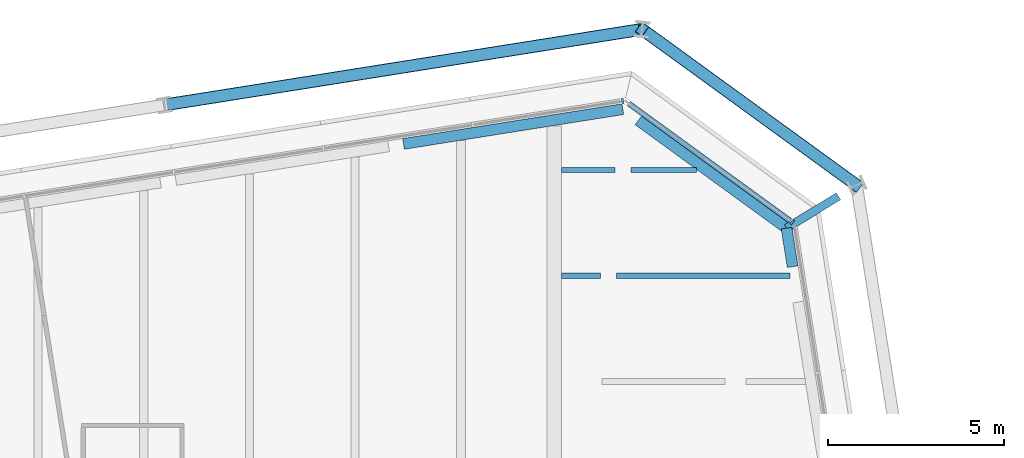
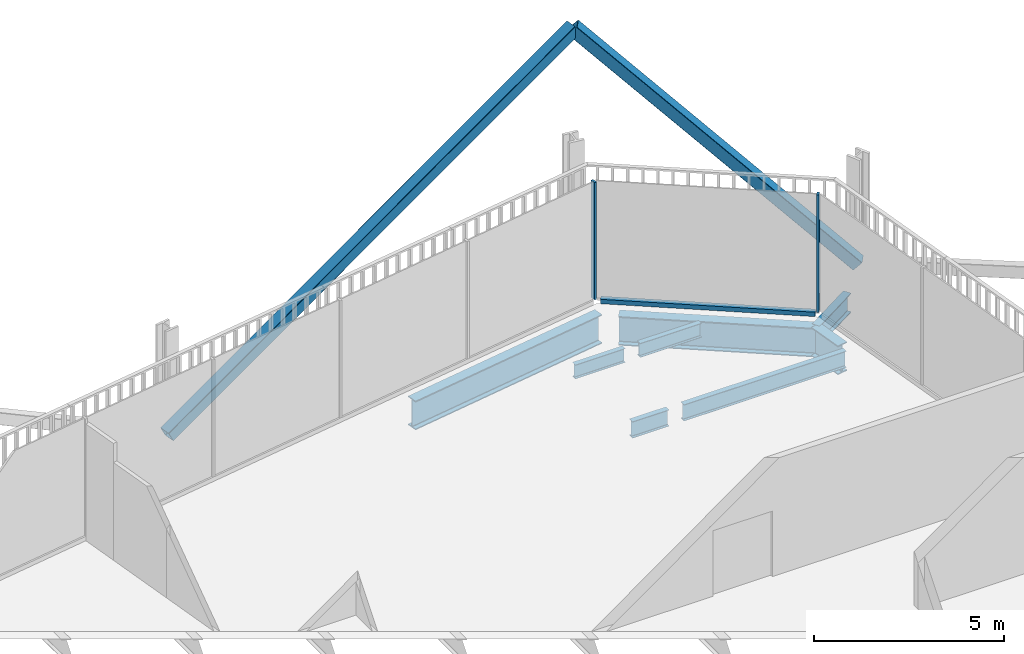
# One storey, part 13 of 19: 8 beams, 5 members, 2 elements without a shape of their own.
"""IFC4 building model written with IfcOpenShell, lengths in metres."""

from ifc_helpers import new_model, si_unit, direction, frame, origin, origin_2d, place, context, subcontext, project, spatial, rectangle, hollow_rectangle, i_section, extrude, material, layer, layer_set, material_profile, profile_set, type_object, element, aggregate, save


model = new_model("IFC4")

# Units and contexts
model_context = context("Model", 3, precision=1e-05, world=origin(), true_north=direction((0.0, 1.0)))
body_context = subcontext(model_context, "Body", "Model", "MODEL_VIEW")
ifc_project = project(units=[si_unit("LENGTHUNIT", "METRE"), si_unit("AREAUNIT", "SQUARE_METRE"), si_unit("VOLUMEUNIT", "CUBIC_METRE"), si_unit("PLANEANGLEUNIT", "RADIAN"), si_unit("MASSUNIT", "GRAM", prefix="KILO")], contexts=[model_context])

# Site, building, storey
site_placement = place(None, origin())
site = spatial("IfcSite", under=ifc_project, at=site_placement, CompositionType="ELEMENT")
building_placement = place(site_placement, origin())
building = spatial("IfcBuilding", under=site, at=building_placement, Name="Millrace Tower", CompositionType="ELEMENT")
storey_placement = place(building_placement, frame((0.0, 0.0, 129.5)))
storey = spatial("IfcBuildingStorey", under=building, at=storey_placement, Name="L28", CompositionType="ELEMENT", Elevation=129.5)

# Curtain wall, member
ifc_material_1 = material(Name="Aluminium and glass", Category="aluminium")
ifc_layer = layer(ifc_material_1, 0.14990234375)
ifc_layer_set = layer_set([ifc_layer], Name="Aluminium and glass")
curtain_wall_type = type_object("IfcCurtainWallType", Name="CW-1 office vision curtain wall", PredefinedType="NOTDEFINED", material=ifc_layer_set)
placement = place(storey_placement, origin())
curtain_wall_1 = element("IfcCurtainWall", 1, at=placement, inside=storey, type_object=curtain_wall_type, Name="Curtain wall C-F05 L28", PredefinedType="NOTDEFINED")
ifc_material_2 = material(Name="Aluminium", Category="aluminium")
ifc_material_profile_1 = material_profile(ifc_material_2, rectangle(XDim=0.06494140625, YDim=0.14990234375, at=origin_2d()))
ifc_profile_set_1 = profile_set([ifc_material_profile_1], Name="Aluminium")
member_type_1 = type_object("IfcMemberType", Name="CW-1 office vision curtain wall mullion", PredefinedType="MULLION", material=ifc_profile_set_1)
member_1_placement = place(storey_placement, frame((21.4013671875, 22.517822265625, 0.139892578125), z_axis=(0.0, 0.0, 1.0), x_axis=(-0.809016981623, 0.587785269844, 0.0)))
member_1 = element("IfcMember", 2, at=member_1_placement, type_object=member_type_1, Name="CW1 mullion C-F05.1", PredefinedType="MULLION", context=body_context, shape_type="SweptSolid", body=[
    extrude(rectangle(XDim=0.06494140625, YDim=0.14990234375, at=origin_2d()), origin(), (0.0, 0.0, 1.0), 3.760009765625),
])

curtain_wall_2 = element("IfcCurtainWall", 3, at=placement, inside=storey, type_object=curtain_wall_type, Name="Curtain wall C-F06 L28", PredefinedType="NOTDEFINED")
member_2_placement = place(storey_placement, frame((16.591796875, 25.956787109375, 0.139892578125), z_axis=(0.0, 0.0, 1.0), x_axis=(-0.98768833929, -0.15643447328, 0.0)))
member_2 = element("IfcMember", 4, at=member_2_placement, type_object=member_type_1, Name="CW1 mullion C-F06.1", PredefinedType="MULLION", context=body_context, shape_type="SweptSolid", body=[
    extrude(rectangle(XDim=0.06494140625, YDim=0.14990234375, at=origin_2d()), origin(), (0.0, 0.0, 1.0), 3.760009765625),
])
aggregate(curtain_wall_2, [member_2])

# Member
ifc_material_3 = material(Name="Aluminium", Category="aluminium")
ifc_material_profile_2 = material_profile(ifc_material_3, rectangle(XDim=0.14990234375, YDim=0.139892578125, at=origin_2d()))
ifc_profile_set_2 = profile_set([ifc_material_profile_2], Name="Aluminium")
member_type_2 = type_object("IfcMemberType", Name="CW-1 office vision curtain wall transom", PredefinedType="USERDEFINED", material=ifc_profile_set_2)
member_3_placement = place(storey_placement, frame((21.346923828125, 22.557373046875, 0.070068359375), z_axis=(-0.809013470651, 0.587790102252, 0.0), x_axis=(-0.587790102252, -0.809013470651, 0.0)))
member_3 = element("IfcMember", 5, at=member_3_placement, type_object=member_type_2, Name="CW1 transom C-F05.1", ObjectType="TRANSOM", PredefinedType="USERDEFINED", context=body_context, shape_type="SweptSolid", body=[
    extrude(rectangle(XDim=0.14990234375, YDim=0.139892578125, at=origin_2d()), origin(), (0.0, 0.0, 1.0), 5.669189453125),
])

aggregate(curtain_wall_1, [member_1, member_3])

# Members
ifc_material_4 = material(Name="Steel ASTM A500 Grade C", Category="steel")
ifc_material_profile_3 = material_profile(ifc_material_4, hollow_rectangle(XDim=0.355712890625, YDim=0.355712890625, WallThickness=0.015869140625, InnerFilletRadius=0.008056640625, OuterFilletRadius=0.02392578125, at=origin_2d()))
ifc_profile_set_3 = profile_set([ifc_material_profile_3], Name="Steel ASTM A500 Grade C")
member_type_3 = type_object("IfcMemberType", Name="Exoskeleton brace HSS14x14x5/8", PredefinedType="BRACE", material=ifc_profile_set_3)
member_4_placement = place(storey_placement, frame((23.2294921875, 23.569091796875, 0.39990234375), z_axis=(-0.592387752691, 0.430389097037, 0.681059450866), x_axis=(-0.587780069364, -0.809020759968, 0.0)))
element("IfcMember", 6, at=member_4_placement, inside=storey, type_object=member_type_3, Name="BRC-C-L28-09", PredefinedType="BRACE", context=body_context, shape_type="SweptSolid", body=[
    extrude(hollow_rectangle(XDim=0.355712890625, YDim=0.355712890625, WallThickness=0.015869140625, InnerFilletRadius=0.008056640625, OuterFilletRadius=0.02392578125, at=origin_2d()), origin(), (0.0, 0.0, 1.0), 10.278076171875),
])
member_5_placement = place(storey_placement, frame((3.58154296875, 25.844970703125, 0.39990234375), z_axis=(0.879904612171, 0.139370908249, 0.454250617407), x_axis=(-0.156442906258, 0.987687003601, 0.0)))
element("IfcMember", 7, at=member_5_placement, inside=storey, type_object=member_type_3, Name="BRC-C-L28-10", PredefinedType="BRACE", context=body_context, shape_type="SweptSolid", body=[
    extrude(hollow_rectangle(XDim=0.355712890625, YDim=0.355712890625, WallThickness=0.015869140625, InnerFilletRadius=0.008056640625, OuterFilletRadius=0.02392578125, at=origin_2d()), origin(), (0.0, 0.0, 1.0), 15.409912109375),
])

# Beams
ifc_material_5 = material(Name="Steel ASTM A992 Grade 50", Category="steel")
ifc_material_profile_4 = material_profile(ifc_material_5, i_section(OverallWidth=0.15234375, OverallDepth=0.449462890625, WebThickness=0.007568359375, FlangeThickness=0.0107421875, FilletRadius=0.01025390625, at=origin_2d()))
ifc_profile_set_4 = profile_set([ifc_material_profile_4], Name="Steel ASTM A992 Grade 50")
beam_type_1 = type_object("IfcBeamType", Name="Floor beam W18x35", PredefinedType="JOIST", material=ifc_profile_set_4)
beam_1_placement = place(storey_placement, frame((14.859619140625, 24.0, -0.384765625), z_axis=(1.0, 0.0, 0.0), x_axis=(0.0, 1.0, 0.0)))
element("IfcBeam", 8, at=beam_1_placement, inside=storey, type_object=beam_type_1, Name="BM-C-L28-S1-S038-a", PredefinedType="JOIST", context=body_context, shape_type="SweptSolid", body=[
    extrude(i_section(OverallWidth=0.15234375, OverallDepth=0.449462890625, WebThickness=0.007568359375, FlangeThickness=0.0107421875, FilletRadius=0.01025390625, at=origin_2d()), origin(), (0.0, 0.0, 1.0), 1.513427734375),
])
beam_2_placement = place(storey_placement, frame((16.824462890625, 24.0, -0.384765625), z_axis=(1.0, 0.0, 0.0), x_axis=(0.0, 1.0, 0.0)))
element("IfcBeam", 9, at=beam_2_placement, inside=storey, type_object=beam_type_1, Name="BM-C-L28-S1-S038-b", PredefinedType="JOIST", context=body_context, shape_type="SweptSolid", body=[
    extrude(i_section(OverallWidth=0.15234375, OverallDepth=0.449462890625, WebThickness=0.007568359375, FlangeThickness=0.0107421875, FilletRadius=0.01025390625, at=origin_2d()), origin(), (0.0, 0.0, 1.0), 1.8583984375),
])
ifc_material_6 = material(Name="Steel ASTM A992 Grade 50", Category="steel")
ifc_material_profile_5 = material_profile(ifc_material_6, i_section(OverallWidth=0.1650390625, OverallDepth=0.52587890625, WebThickness=0.0087890625, FlangeThickness=0.011474609375, FilletRadius=0.0126953125, at=origin_2d()))
ifc_profile_set_5 = profile_set([ifc_material_profile_5], Name="Steel ASTM A992 Grade 50")
beam_type_2 = type_object("IfcBeamType", Name="Floor beam W21x44", PredefinedType="JOIST", material=ifc_profile_set_5)
beam_3_placement = place(storey_placement, frame((14.859619140625, 21.0, -0.4228515625), z_axis=(1.0, 0.0, 0.0), x_axis=(0.0, 1.0, 0.0)))
element("IfcBeam", 10, at=beam_3_placement, inside=storey, type_object=beam_type_2, Name="BM-C-L28-S1-S037-a", PredefinedType="JOIST", context=body_context, shape_type="SweptSolid", body=[
    extrude(i_section(OverallWidth=0.1650390625, OverallDepth=0.52587890625, WebThickness=0.0087890625, FlangeThickness=0.011474609375, FilletRadius=0.0126953125, at=origin_2d()), origin(), (0.0, 0.0, 1.0), 1.107666015625),
])
beam_4_placement = place(storey_placement, frame((16.415283203125, 21.0, -0.4228515625), z_axis=(1.0, 0.0, 0.0), x_axis=(0.0, 1.0, 0.0)))
element("IfcBeam", 11, at=beam_4_placement, inside=storey, type_object=beam_type_2, Name="BM-C-L28-S1-S037-b", PredefinedType="JOIST", context=body_context, shape_type="SweptSolid", body=[
    extrude(i_section(OverallWidth=0.1650390625, OverallDepth=0.52587890625, WebThickness=0.0087890625, FlangeThickness=0.011474609375, FilletRadius=0.0126953125, at=origin_2d()), origin(), (0.0, 0.0, 1.0), 4.928955078125),
])
ifc_material_7 = material(Name="Steel ASTM A992 Grade 50", Category="steel")
ifc_material_profile_6 = material_profile(ifc_material_7, i_section(OverallWidth=0.23046875, OverallDepth=0.6171875, WebThickness=0.01318359375, FlangeThickness=0.022216796875, FilletRadius=0.012939453125, at=origin_2d()))
ifc_profile_set_6 = profile_set([ifc_material_profile_6], Name="Steel ASTM A992 Grade 50")
beam_type_3 = type_object("IfcBeamType", Name="Link beam W24x94", PredefinedType="BEAM", material=ifc_profile_set_6)
beam_5_placement = place(storey_placement, frame((21.241943359375, 22.35107421875, -0.468505859375), z_axis=(0.852631703652, 0.522512371075, 0.0), x_axis=(-0.522512371075, 0.852631703652, 0.0)))
element("IfcBeam", 12, at=beam_5_placement, inside=storey, type_object=beam_type_3, Name="LNK-C-L28-S1-09", PredefinedType="BEAM", context=body_context, shape_type="SweptSolid", body=[
    extrude(i_section(OverallWidth=0.23046875, OverallDepth=0.6171875, WebThickness=0.01318359375, FlangeThickness=0.022216796875, FilletRadius=0.012939453125, at=origin_2d()), origin(), (0.0, 0.0, 1.0), 1.728271484375),
])
ifc_material_8 = material(Name="Steel ASTM A992 Grade 50", Category="steel")
ifc_material_profile_7 = material_profile(ifc_material_8, i_section(OverallWidth=0.307373046875, OverallDepth=0.927001953125, WebThickness=0.01953125, FlangeThickness=0.031982421875, FilletRadius=0.01904296875, at=origin_2d()))
ifc_profile_set_7 = profile_set([ifc_material_profile_7], Name="Steel ASTM A992 Grade 50")
beam_type_4 = type_object("IfcBeamType", Name="Ring beam short span W36x194", PredefinedType="SPANDREL", material=ifc_profile_set_7)
beam_6_placement = place(storey_placement, frame((10.370361328125, 24.73974609375, -0.62353515625), z_axis=(0.987690006337, 0.156423947598, 0.0), x_axis=(-0.156423947598, 0.987690006337, 0.0)))
element("IfcBeam", 13, at=beam_6_placement, inside=storey, type_object=beam_type_4, Name="RNG-C-L28-S1-07-b", PredefinedType="SPANDREL", context=body_context, shape_type="SweptSolid", body=[
    extrude(i_section(OverallWidth=0.307373046875, OverallDepth=0.927001953125, WebThickness=0.01953125, FlangeThickness=0.031982421875, FilletRadius=0.01904296875, at=origin_2d()), origin(), (0.0, 0.0, 1.0), 6.303955078125),
])
beam_7_placement = place(storey_placement, frame((17.03466796875, 25.40771484375, -0.62353515625), z_axis=(0.809028321277, -0.587769661834, 0.0), x_axis=(0.587769661834, 0.809028321277, 0.0)))
element("IfcBeam", 14, at=beam_7_placement, inside=storey, type_object=beam_type_4, Name="RNG-C-L28-S1-08", PredefinedType="SPANDREL", context=body_context, shape_type="SweptSolid", body=[
    extrude(i_section(OverallWidth=0.307373046875, OverallDepth=0.927001953125, WebThickness=0.01953125, FlangeThickness=0.031982421875, FilletRadius=0.01904296875, at=origin_2d()), origin(), (0.0, 0.0, 1.0), 5.200439453125),
])
beam_8_placement = place(storey_placement, frame((21.241943359375, 22.35107421875, -0.62353515625), z_axis=(0.156324364357, -0.98770577254, 0.0), x_axis=(0.98770577254, 0.156324364357, 0.0)))
element("IfcBeam", 15, at=beam_8_placement, inside=storey, type_object=beam_type_4, Name="RNG-C-L28-S1-09-a", PredefinedType="SPANDREL", context=body_context, shape_type="SweptSolid", body=[
    extrude(i_section(OverallWidth=0.307373046875, OverallDepth=0.927001953125, WebThickness=0.01953125, FlangeThickness=0.031982421875, FilletRadius=0.01904296875, at=origin_2d()), origin(), (0.0, 0.0, 1.0), 1.10888671875),
])

save(model, "model.ifc")
